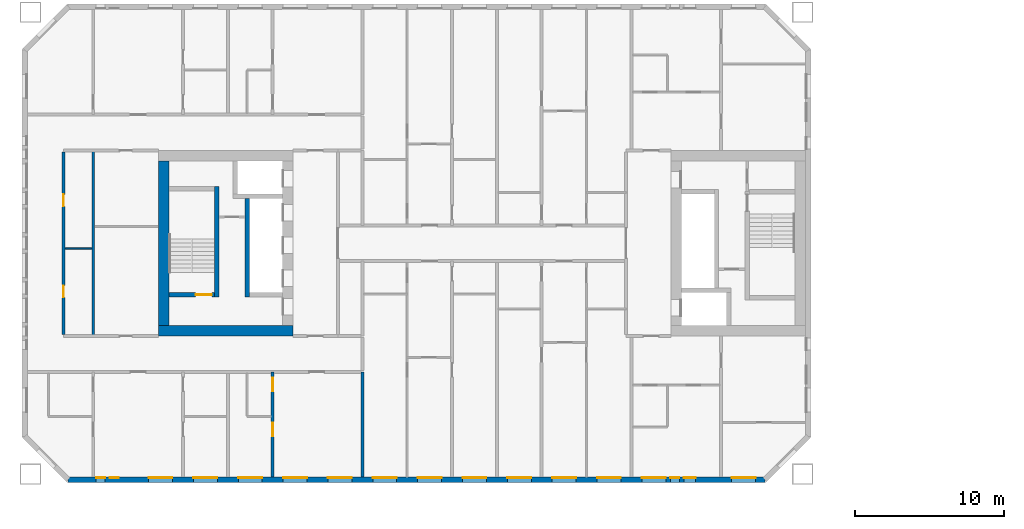
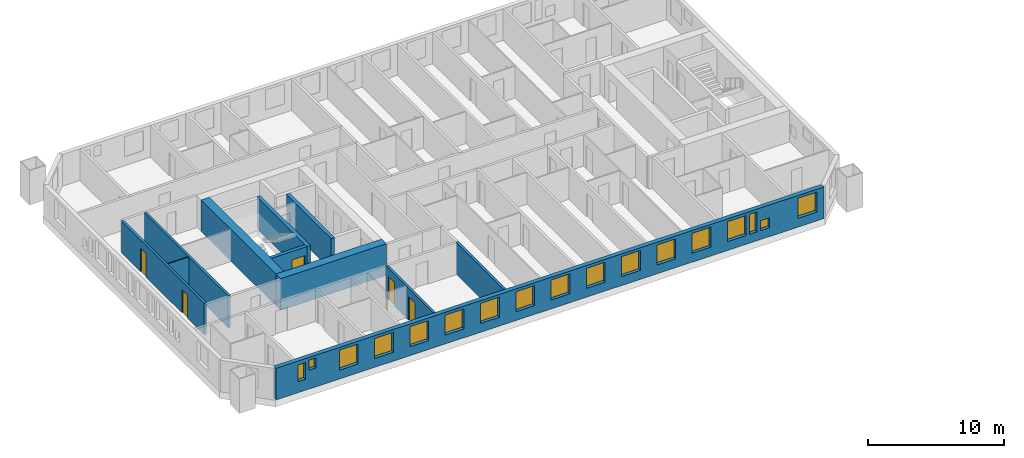
# One storey, part 3 of 17: 17 windows, 11 walls, 5 doors, 22 openings.
"""IFC4 building model written with IfcOpenShell, lengths in metres."""

import ifcopenshell
import ifcopenshell.guid

model = None  # the IFC model being written
_history = None  # IfcOwnerHistory: only IFC2X3 demands one
_inside = {}  # id of a spatial element -> (the spatial element, [elements in it])
_under = {}  # id of a project, library or spatial element -> (it, [spatial elements below it])
_declared = {}  # id of a project -> (the project, [libraries it declares])
_typed = {}  # id of a type object -> (the type object, [elements of that type])
_made_of = {}  # id of a material, layer set ... -> (it, [elements and type objects made of it])


def new_model(schema):
    """Start an empty IFC model of exactly this schema.

    Asked for "IFC4X3", IfcOpenShell would pick the latest addendum, in which some entities
    have other attributes; the version numbers below select the first issue.
    IFC2X3 requires an IfcOwnerHistory on every rooted entity: one is made here for all.
    """
    global model, _history
    if schema == "IFC4X3":
        model = ifcopenshell.file(schema_version=(4, 3, 0, 0))
    else:
        model = ifcopenshell.file(schema=schema)
    _inside.clear()
    _under.clear()
    _declared.clear()
    _typed.clear()
    _made_of.clear()
    _history = None
    if model.schema == "IFC2X3":
        org = make("IfcOrganization", Name="unknown")
        user = make(
            "IfcPersonAndOrganization",
            ThePerson=make("IfcPerson", FamilyName="unknown"),
            TheOrganization=org,
        )
        app = make(
            "IfcApplication",
            ApplicationDeveloper=org,
            Version="unknown",
            ApplicationFullName="unknown",
            ApplicationIdentifier="unknown",
        )
        _history = make(
            "IfcOwnerHistory",
            OwningUser=user,
            OwningApplication=app,
            ChangeAction="ADDED",
            CreationDate=0,
        )
    return model


def make(cls, **values):
    """One entity of the class cls with the attributes given. An attribute that is None is left unset."""
    return model.create_entity(
        cls, **{name: value for name, value in values.items() if value is not None}
    )


def rooted(cls, **values):
    """An entity with a GlobalId (a new one), such as an element, a storey or a relation."""
    return make(cls, GlobalId=ifcopenshell.guid.new(), OwnerHistory=_history, **values)


def si_unit(unit_type, name, prefix=None):
    """IfcSIUnit, for example si_unit("LENGTHUNIT", "METRE", prefix="MILLI")."""
    return make("IfcSIUnit", UnitType=unit_type, Prefix=prefix, Name=name)


def assignment(units):
    """IfcUnitAssignment: the units of a project."""
    return None if units is None else make("IfcUnitAssignment", Units=units)


def point(xyz):
    """IfcCartesianPoint."""
    return None if xyz is None else make("IfcCartesianPoint", Coordinates=xyz)


def direction(xyz):
    """IfcDirection."""
    return None if xyz is None else make("IfcDirection", DirectionRatios=xyz)


def frame(location, z_axis=None, x_axis=None):
    """IfcAxis2Placement3D, a coordinate frame: its origin and axes. An axis left out is left unset."""
    return make(
        "IfcAxis2Placement3D",
        Location=point(location),
        Axis=direction(z_axis),
        RefDirection=direction(x_axis),
    )


def frame_2d(location, x_axis=None):
    """IfcAxis2Placement2D, a coordinate frame in the plane: its origin and x axis."""
    return make(
        "IfcAxis2Placement2D", Location=point(location), RefDirection=direction(x_axis)
    )


def origin():
    """The frame at (0, 0, 0) with its axes left unset."""
    return frame((0.0, 0.0, 0.0))


def place(relative_to, where):
    """IfcLocalPlacement: puts the frame where relative to a parent placement (None: the world)."""
    return make(
        "IfcLocalPlacement", PlacementRelTo=relative_to, RelativePlacement=where
    )


def context(
    kind, dimensions, precision=None, world=None, true_north=None, identifier=None
):
    """IfcGeometricRepresentationContext, for example the 3D "Model" context."""
    return make(
        "IfcGeometricRepresentationContext",
        ContextIdentifier=identifier,
        ContextType=kind,
        CoordinateSpaceDimension=dimensions,
        Precision=precision,
        WorldCoordinateSystem=world,
        TrueNorth=true_north,
    )


def subcontext(parent, identifier, kind, view, scale=None):
    """IfcGeometricRepresentationSubContext, for example "Body" below "Model"."""
    return make(
        "IfcGeometricRepresentationSubContext",
        ContextIdentifier=identifier,
        ContextType=kind,
        ParentContext=parent,
        TargetScale=scale,
        TargetView=view,
    )


def project(units=None, contexts=None):
    """IfcProject with its units and contexts."""
    return rooted(
        "IfcProject",
        Name="project",
        RepresentationContexts=contexts,
        UnitsInContext=assignment(units),
    )


def spatial(cls, under=None, at=None, **own):
    """A site, building, storey or space (cls), placed at a placement, below another one or the project."""
    s = rooted(cls, ObjectPlacement=at, **own)
    if under is not None:
        _under.setdefault(under.id(), (under, []))[1].append(s)
    return s


def profile(cls, at=None, kind="AREA", **sizes):
    """A parametric profile (cls). Its sizes go by their IFC names, for example OverallWidth=200.0."""
    return make(cls, ProfileType=kind, Position=at, **sizes)


def rectangle(**sizes):
    """IfcRectangleProfileDef."""
    return profile("IfcRectangleProfileDef", **sizes)


def extrude(swept, where, along, depth):
    """IfcExtrudedAreaSolid: the profile swept, set in the frame where, extruded along a direction by depth."""
    return make(
        "IfcExtrudedAreaSolid",
        SweptArea=swept,
        Position=where,
        ExtrudedDirection=direction(along),
        Depth=depth,
    )


def shape(context_of_items, identifier, shape_type, items):
    """IfcShapeRepresentation: the items that make up one representation, for example the "Body"."""
    return make(
        "IfcShapeRepresentation",
        ContextOfItems=context_of_items,
        RepresentationIdentifier=identifier,
        RepresentationType=shape_type,
        Items=items,
    )


def material(Name=None, Category=None):
    """IfcMaterial."""
    return make("IfcMaterial", Name=Name, Category=Category)


def layer(
    of_material, thickness, ventilated=None, Name=None, Category=None, Priority=None
):
    """IfcMaterialLayer: one layer of a wall or slab, of a material (None: an air gap)."""
    return make(
        "IfcMaterialLayer",
        Material=of_material,
        LayerThickness=thickness,
        IsVentilated=ventilated,
        Name=Name,
        Category=Category,
        Priority=Priority,
    )


def layer_set(layers, Name=None):
    """IfcMaterialLayerSet."""
    return make("IfcMaterialLayerSet", MaterialLayers=layers, LayerSetName=Name)


def made_of(thing, what):
    """Note that an element or type object is made of a material, layer set ...; save() writes the relation."""
    if what is not None:
        _made_of.setdefault(what.id(), (what, []))[1].append(thing)
    return thing


def type_object(cls, material=None, **own):
    """A type object (cls), such as IfcWallType, which elements share."""
    return made_of(rooted(cls, **own), material)


def element(
    cls,
    number,
    at=None,
    inside=None,
    cuts=None,
    type_object=None,
    material=None,
    context=None,
    identifier="Body",
    shape_type=None,
    held_by="IfcProductDefinitionShape",
    body=None,
    shapes=None,
    **own,
):
    """One element of the class cls, such as IfcWall. Its Tag is "e" and its number.

    at: its placement. inside: the storey or other place that contains it. cuts: it is an
    opening in that element (IfcRelVoidsElement). A single representation is given by context,
    identifier, shape_type and body (its items); several are given by shapes. held_by: the class
    of the entity that holds the representations. save() writes the other relations.
    """
    e = rooted(cls, Tag="e%d" % number, ObjectPlacement=at, **own)
    if body is not None:
        shapes = [shape(context, identifier, shape_type, body)]
    if shapes is not None:
        e.Representation = make(held_by, Representations=shapes)
    if inside is not None:
        _inside.setdefault(inside.id(), (inside, []))[1].append(e)
    if cuts is not None:
        rooted(
            "IfcRelVoidsElement", RelatingBuildingElement=cuts, RelatedOpeningElement=e
        )
    if type_object is not None:
        _typed.setdefault(type_object.id(), (type_object, []))[1].append(e)
    return made_of(e, material)


def fill(opening, filler):
    """IfcRelFillsElement: the door or window that sits in an opening."""
    return rooted(
        "IfcRelFillsElement",
        RelatingOpeningElement=opening,
        RelatedBuildingElement=filler,
    )


def aggregate(whole, parts):
    """IfcRelAggregates: a whole, such as a stair, and the parts it consists of."""
    return rooted("IfcRelAggregates", RelatingObject=whole, RelatedObjects=parts)


def save(model, path):
    """Write the relations noted so far, then the file.

    IfcRelAggregates (storeys below a building ...), IfcRelContainedInSpatialStructure (elements
    in a storey), IfcRelDefinesByType, IfcRelAssociatesMaterial and IfcRelDeclares: one each for
    every whole, place, type object, material and project.
    """
    for whole, parts in _under.values():
        aggregate(whole, parts)
    for where, things in _inside.values():
        rooted(
            "IfcRelContainedInSpatialStructure",
            RelatedElements=things,
            RelatingStructure=where,
        )
    for kind, things in _typed.values():
        rooted("IfcRelDefinesByType", RelatedObjects=things, RelatingType=kind)
    for what, things in _made_of.values():
        rooted("IfcRelAssociatesMaterial", RelatedObjects=things, RelatingMaterial=what)
    for by, libraries in _declared.values():
        rooted("IfcRelDeclares", RelatingContext=by, RelatedDefinitions=libraries)
    model.write(path)


model = new_model("IFC4")

# Units and contexts
model_context = context("Model", 3, precision=1e-05, world=origin(), true_north=direction((0.0, 1.0)))
body_context = subcontext(model_context, "Body", "Model", "MODEL_VIEW")
ifc_project = project(units=[si_unit("LENGTHUNIT", "METRE"), si_unit("AREAUNIT", "SQUARE_METRE"), si_unit("VOLUMEUNIT", "CUBIC_METRE"), si_unit("PLANEANGLEUNIT", "RADIAN"), si_unit("MASSUNIT", "GRAM", prefix="KILO")], contexts=[model_context])

# Site, building, storey
site_placement = place(None, origin())
site = spatial("IfcSite", under=ifc_project, at=site_placement, CompositionType="ELEMENT")
building_placement = place(site_placement, origin())
building = spatial("IfcBuilding", under=site, at=building_placement, Name="Tuart Gate Housing", CompositionType="ELEMENT")
storey_placement = place(building_placement, frame((0.0, 0.0, 71.60009765625)))
storey = spatial("IfcBuildingStorey", under=building, at=storey_placement, Name="L19", CompositionType="ELEMENT", Elevation=71.60009765625)

# Wall, openings, windows
ifc_material_1 = material(Name="Brick", Category="masonry")
ifc_layer_1 = layer(ifc_material_1, 0.360107421875)
ifc_layer_set_1 = layer_set([ifc_layer_1], Name="Brick pier and spandrel wall 360")
wall_type_1 = type_object("IfcWallType", Name="Brick pier and spandrel wall 360", PredefinedType="STANDARD", material=ifc_layer_set_1)
wall_1_placement = place(storey_placement, frame((26.32470703125, 54.179931640625, 0.0), z_axis=(0.0, 0.0, 1.0), x_axis=(1.0, 0.0, 0.0)))
wall_1 = element("IfcWall", 1, at=wall_1_placement, inside=storey, type_object=wall_type_1, Name="External wall A-S L19", PredefinedType="STANDARD", context=body_context, shape_type="SweptSolid", body=[
    extrude(rectangle(XDim=46.600830078125, YDim=0.360107421875, at=frame_2d((23.30029296875, 0.0))), origin(), (0.0, 0.0, 1.0), 2.849853515625),
])
opening_1_placement = place(wall_1_placement, frame((1.87548828125, 0.0, 1.0)))
opening_1 = element("IfcOpeningElement", 2, at=opening_1_placement, cuts=wall_1, Name="Opening W1K", PredefinedType="OPENING", context=body_context, shape_type="SweptSolid", body=[
    extrude(rectangle(XDim=0.60009765625, YDim=1.5, at=frame_2d((0.300048828125, 0.75))), frame((0.0, 0.18994140625, 0.0), z_axis=(0.0, -1.0, 0.0), x_axis=(1.0, 0.0, 0.0)), (0.0, 0.0, 1.0), 0.380126953125),
])
opening_2_placement = place(wall_1_placement, frame((5.37548828125, 0.0, 0.800048828125)))
opening_2 = element("IfcOpeningElement", 3, at=opening_2_placement, cuts=wall_1, Name="Opening W1", PredefinedType="OPENING", context=body_context, shape_type="SweptSolid", body=[
    extrude(rectangle(XDim=1.60009765625, YDim=1.800048828125, at=frame_2d((0.800048828125, 0.89990234375))), frame((0.0, 0.18994140625, 0.0), z_axis=(0.0, -1.0, 0.0), x_axis=(1.0, 0.0, 0.0)), (0.0, 0.0, 1.0), 0.380126953125),
])
opening_3_placement = place(wall_1_placement, frame((8.37548828125, 0.0, 0.800048828125)))
opening_3 = element("IfcOpeningElement", 4, at=opening_3_placement, cuts=wall_1, Name="Opening W1", PredefinedType="OPENING", context=body_context, shape_type="SweptSolid", body=[
    extrude(rectangle(XDim=1.60009765625, YDim=1.800048828125, at=frame_2d((0.800048828125, 0.89990234375))), frame((0.0, 0.18994140625, 0.0), z_axis=(0.0, -1.0, 0.0), x_axis=(1.0, 0.0, 0.0)), (0.0, 0.0, 1.0), 0.380126953125),
])
opening_4_placement = place(wall_1_placement, frame((11.37548828125, 0.0, 0.800048828125)))
opening_4 = element("IfcOpeningElement", 5, at=opening_4_placement, cuts=wall_1, Name="Opening W1", PredefinedType="OPENING", context=body_context, shape_type="SweptSolid", body=[
    extrude(rectangle(XDim=1.60009765625, YDim=1.800048828125, at=frame_2d((0.800048828125, 0.89990234375))), frame((0.0, 0.18994140625, 0.0), z_axis=(0.0, -1.0, 0.0), x_axis=(1.0, 0.0, 0.0)), (0.0, 0.0, 1.0), 0.380126953125),
])
opening_5_placement = place(wall_1_placement, frame((14.37548828125, 0.0, 0.800048828125)))
opening_5 = element("IfcOpeningElement", 6, at=opening_5_placement, cuts=wall_1, Name="Opening W1", PredefinedType="OPENING", context=body_context, shape_type="SweptSolid", body=[
    extrude(rectangle(XDim=1.60009765625, YDim=1.800048828125, at=frame_2d((0.800048828125, 0.89990234375))), frame((0.0, 0.18994140625, 0.0), z_axis=(0.0, -1.0, 0.0), x_axis=(1.0, 0.0, 0.0)), (0.0, 0.0, 1.0), 0.380126953125),
])
opening_6_placement = place(wall_1_placement, frame((17.37548828125, 0.0, 0.800048828125)))
opening_6 = element("IfcOpeningElement", 7, at=opening_6_placement, cuts=wall_1, Name="Opening W1", PredefinedType="OPENING", context=body_context, shape_type="SweptSolid", body=[
    extrude(rectangle(XDim=1.60009765625, YDim=1.800048828125, at=frame_2d((0.800048828125, 0.89990234375))), frame((0.0, 0.18994140625, 0.0), z_axis=(0.0, -1.0, 0.0), x_axis=(1.0, 0.0, 0.0)), (0.0, 0.0, 1.0), 0.380126953125),
])
opening_7_placement = place(wall_1_placement, frame((20.37548828125, 0.0, 0.800048828125)))
opening_7 = element("IfcOpeningElement", 8, at=opening_7_placement, cuts=wall_1, Name="Opening W1", PredefinedType="OPENING", context=body_context, shape_type="SweptSolid", body=[
    extrude(rectangle(XDim=1.60009765625, YDim=1.800048828125, at=frame_2d((0.800048828125, 0.89990234375))), frame((0.0, 0.18994140625, 0.0), z_axis=(0.0, -1.0, 0.0), x_axis=(1.0, 0.0, 0.0)), (0.0, 0.0, 1.0), 0.380126953125),
])
opening_8_placement = place(wall_1_placement, frame((23.37548828125, 0.0, 0.800048828125)))
opening_8 = element("IfcOpeningElement", 9, at=opening_8_placement, cuts=wall_1, Name="Opening W1", PredefinedType="OPENING", context=body_context, shape_type="SweptSolid", body=[
    extrude(rectangle(XDim=1.60009765625, YDim=1.800048828125, at=frame_2d((0.800048828125, 0.89990234375))), frame((0.0, 0.18994140625, 0.0), z_axis=(0.0, -1.0, 0.0), x_axis=(1.0, 0.0, 0.0)), (0.0, 0.0, 1.0), 0.380126953125),
])
opening_9_placement = place(wall_1_placement, frame((26.37548828125, 0.0, 0.800048828125)))
opening_9 = element("IfcOpeningElement", 10, at=opening_9_placement, cuts=wall_1, Name="Opening W1", PredefinedType="OPENING", context=body_context, shape_type="SweptSolid", body=[
    extrude(rectangle(XDim=1.60009765625, YDim=1.800048828125, at=frame_2d((0.800048828125, 0.89990234375))), frame((0.0, 0.18994140625, 0.0), z_axis=(0.0, -1.0, 0.0), x_axis=(1.0, 0.0, 0.0)), (0.0, 0.0, 1.0), 0.380126953125),
])
opening_10_placement = place(wall_1_placement, frame((29.37548828125, 0.0, 0.800048828125)))
opening_10 = element("IfcOpeningElement", 11, at=opening_10_placement, cuts=wall_1, Name="Opening W1", PredefinedType="OPENING", context=body_context, shape_type="SweptSolid", body=[
    extrude(rectangle(XDim=1.60009765625, YDim=1.800048828125, at=frame_2d((0.800048828125, 0.89990234375))), frame((0.0, 0.18994140625, 0.0), z_axis=(0.0, -1.0, 0.0), x_axis=(1.0, 0.0, 0.0)), (0.0, 0.0, 1.0), 0.380126953125),
])
opening_11_placement = place(wall_1_placement, frame((32.37548828125, 0.0, 0.800048828125)))
opening_11 = element("IfcOpeningElement", 12, at=opening_11_placement, cuts=wall_1, Name="Opening W1", PredefinedType="OPENING", context=body_context, shape_type="SweptSolid", body=[
    extrude(rectangle(XDim=1.60009765625, YDim=1.800048828125, at=frame_2d((0.800048828125, 0.89990234375))), frame((0.0, 0.18994140625, 0.0), z_axis=(0.0, -1.0, 0.0), x_axis=(1.0, 0.0, 0.0)), (0.0, 0.0, 1.0), 0.380126953125),
])
opening_12_placement = place(wall_1_placement, frame((35.37548828125, 0.0, 0.800048828125)))
opening_12 = element("IfcOpeningElement", 13, at=opening_12_placement, cuts=wall_1, Name="Opening W1", PredefinedType="OPENING", context=body_context, shape_type="SweptSolid", body=[
    extrude(rectangle(XDim=1.60009765625, YDim=1.800048828125, at=frame_2d((0.800048828125, 0.89990234375))), frame((0.0, 0.18994140625, 0.0), z_axis=(0.0, -1.0, 0.0), x_axis=(1.0, 0.0, 0.0)), (0.0, 0.0, 1.0), 0.380126953125),
])
opening_13_placement = place(wall_1_placement, frame((38.37548828125, 0.0, 0.800048828125)))
opening_13 = element("IfcOpeningElement", 14, at=opening_13_placement, cuts=wall_1, Name="Opening W1", PredefinedType="OPENING", context=body_context, shape_type="SweptSolid", body=[
    extrude(rectangle(XDim=1.60009765625, YDim=1.800048828125, at=frame_2d((0.800048828125, 0.89990234375))), frame((0.0, 0.18994140625, 0.0), z_axis=(0.0, -1.0, 0.0), x_axis=(1.0, 0.0, 0.0)), (0.0, 0.0, 1.0), 0.380126953125),
])
opening_14_placement = place(wall_1_placement, frame((40.275390625, 0.0, 0.800048828125)))
opening_14 = element("IfcOpeningElement", 15, at=opening_14_placement, cuts=wall_1, Name="Opening W1E", PredefinedType="OPENING", context=body_context, shape_type="SweptSolid", body=[
    extrude(rectangle(XDim=0.60009765625, YDim=1.800048828125, at=frame_2d((0.300048828125, 0.89990234375))), frame((0.0, 0.18994140625, 0.0), z_axis=(0.0, -1.0, 0.0), x_axis=(1.0, 0.0, 0.0)), (0.0, 0.0, 1.0), 0.380126953125),
])
opening_15_placement = place(wall_1_placement, frame((44.37548828125, 0.0, 0.800048828125)))
opening_15 = element("IfcOpeningElement", 16, at=opening_15_placement, cuts=wall_1, Name="Opening W1", PredefinedType="OPENING", context=body_context, shape_type="SweptSolid", body=[
    extrude(rectangle(XDim=1.60009765625, YDim=1.800048828125, at=frame_2d((0.800048828125, 0.89990234375))), frame((0.0, 0.18994140625, 0.0), z_axis=(0.0, -1.0, 0.0), x_axis=(1.0, 0.0, 0.0)), (0.0, 0.0, 1.0), 0.380126953125),
])
opening_16_placement = place(wall_1_placement, frame((2.775390625, 0.0, 1.699951171875)))
opening_16 = element("IfcOpeningElement", 17, at=opening_16_placement, cuts=wall_1, Name="Opening W1W", PredefinedType="OPENING", context=body_context, shape_type="SweptSolid", body=[
    extrude(rectangle(XDim=0.60009765625, YDim=0.89990234375, at=frame_2d((0.300048828125, 0.449951171875))), frame((0.0, 0.18994140625, 0.0), z_axis=(0.0, -1.0, 0.0), x_axis=(1.0, 0.0, 0.0)), (0.0, 0.0, 1.0), 0.380126953125),
])
opening_17_placement = place(wall_1_placement, frame((41.17529296875, 0.0, 0.800048828125)))
opening_17 = element("IfcOpeningElement", 18, at=opening_17_placement, cuts=wall_1, Name="Opening W1V", PredefinedType="OPENING", context=body_context, shape_type="SweptSolid", body=[
    extrude(rectangle(XDim=0.800048828125, YDim=0.89990234375, at=frame_2d((0.39990234375, 0.449951171875))), frame((0.0, 0.18994140625, 0.0), z_axis=(0.0, -1.0, 0.0), x_axis=(1.0, 0.0, 0.0)), (0.0, 0.0, 1.0), 0.380126953125),
])
ifc_material_2 = material(Name="Aluminium frame with clear glass", Category="aluminium")
window_type_1 = type_object("IfcWindowType", Name="Punched window 1600 x 1800", PartitioningType="SINGLE_PANEL", PredefinedType="WINDOW", material=ifc_material_2)
window_1_placement = place(opening_2_placement, origin())
window_1 = element("IfcWindow", 19, at=window_1_placement, inside=storey, type_object=window_type_1, Name="Window W1", OverallHeight=1.800048828125, OverallWidth=1.60009765625, PartitioningType="SINGLE_PANEL", PredefinedType="WINDOW", context=body_context, shape_type="SweptSolid", body=[
    extrude(rectangle(XDim=1.60009765625, YDim=1.800048828125, at=frame_2d((0.800048828125, 0.89990234375))), frame((0.0, 0.150146484375, 0.0), z_axis=(0.0, -1.0, 0.0), x_axis=(1.0, 0.0, 0.0)), (0.0, 0.0, 1.0), 0.06005859375),
])
fill(opening_2, window_1)
window_2_placement = place(opening_3_placement, origin())
window_2 = element("IfcWindow", 20, at=window_2_placement, inside=storey, type_object=window_type_1, Name="Window W1", OverallHeight=1.800048828125, OverallWidth=1.60009765625, PartitioningType="SINGLE_PANEL", PredefinedType="WINDOW", context=body_context, shape_type="SweptSolid", body=[
    extrude(rectangle(XDim=1.60009765625, YDim=1.800048828125, at=frame_2d((0.800048828125, 0.89990234375))), frame((0.0, 0.150146484375, 0.0), z_axis=(0.0, -1.0, 0.0), x_axis=(1.0, 0.0, 0.0)), (0.0, 0.0, 1.0), 0.06005859375),
])
fill(opening_3, window_2)
window_3_placement = place(opening_4_placement, origin())
window_3 = element("IfcWindow", 21, at=window_3_placement, inside=storey, type_object=window_type_1, Name="Window W1", OverallHeight=1.800048828125, OverallWidth=1.60009765625, PartitioningType="SINGLE_PANEL", PredefinedType="WINDOW", context=body_context, shape_type="SweptSolid", body=[
    extrude(rectangle(XDim=1.60009765625, YDim=1.800048828125, at=frame_2d((0.800048828125, 0.89990234375))), frame((0.0, 0.150146484375, 0.0), z_axis=(0.0, -1.0, 0.0), x_axis=(1.0, 0.0, 0.0)), (0.0, 0.0, 1.0), 0.06005859375),
])
fill(opening_4, window_3)
window_4_placement = place(opening_5_placement, origin())
window_4 = element("IfcWindow", 22, at=window_4_placement, inside=storey, type_object=window_type_1, Name="Window W1", OverallHeight=1.800048828125, OverallWidth=1.60009765625, PartitioningType="SINGLE_PANEL", PredefinedType="WINDOW", context=body_context, shape_type="SweptSolid", body=[
    extrude(rectangle(XDim=1.60009765625, YDim=1.800048828125, at=frame_2d((0.800048828125, 0.89990234375))), frame((0.0, 0.150146484375, 0.0), z_axis=(0.0, -1.0, 0.0), x_axis=(1.0, 0.0, 0.0)), (0.0, 0.0, 1.0), 0.06005859375),
])
fill(opening_5, window_4)
window_5_placement = place(opening_6_placement, origin())
window_5 = element("IfcWindow", 23, at=window_5_placement, inside=storey, type_object=window_type_1, Name="Window W1", OverallHeight=1.800048828125, OverallWidth=1.60009765625, PartitioningType="SINGLE_PANEL", PredefinedType="WINDOW", context=body_context, shape_type="SweptSolid", body=[
    extrude(rectangle(XDim=1.60009765625, YDim=1.800048828125, at=frame_2d((0.800048828125, 0.89990234375))), frame((0.0, 0.150146484375, 0.0), z_axis=(0.0, -1.0, 0.0), x_axis=(1.0, 0.0, 0.0)), (0.0, 0.0, 1.0), 0.06005859375),
])
fill(opening_6, window_5)
window_6_placement = place(opening_7_placement, origin())
window_6 = element("IfcWindow", 24, at=window_6_placement, inside=storey, type_object=window_type_1, Name="Window W1", OverallHeight=1.800048828125, OverallWidth=1.60009765625, PartitioningType="SINGLE_PANEL", PredefinedType="WINDOW", context=body_context, shape_type="SweptSolid", body=[
    extrude(rectangle(XDim=1.60009765625, YDim=1.800048828125, at=frame_2d((0.800048828125, 0.89990234375))), frame((0.0, 0.150146484375, 0.0), z_axis=(0.0, -1.0, 0.0), x_axis=(1.0, 0.0, 0.0)), (0.0, 0.0, 1.0), 0.06005859375),
])
fill(opening_7, window_6)
window_7_placement = place(opening_8_placement, origin())
window_7 = element("IfcWindow", 25, at=window_7_placement, inside=storey, type_object=window_type_1, Name="Window W1", OverallHeight=1.800048828125, OverallWidth=1.60009765625, PartitioningType="SINGLE_PANEL", PredefinedType="WINDOW", context=body_context, shape_type="SweptSolid", body=[
    extrude(rectangle(XDim=1.60009765625, YDim=1.800048828125, at=frame_2d((0.800048828125, 0.89990234375))), frame((0.0, 0.150146484375, 0.0), z_axis=(0.0, -1.0, 0.0), x_axis=(1.0, 0.0, 0.0)), (0.0, 0.0, 1.0), 0.06005859375),
])
fill(opening_8, window_7)
window_8_placement = place(opening_9_placement, origin())
window_8 = element("IfcWindow", 26, at=window_8_placement, inside=storey, type_object=window_type_1, Name="Window W1", OverallHeight=1.800048828125, OverallWidth=1.60009765625, PartitioningType="SINGLE_PANEL", PredefinedType="WINDOW", context=body_context, shape_type="SweptSolid", body=[
    extrude(rectangle(XDim=1.60009765625, YDim=1.800048828125, at=frame_2d((0.800048828125, 0.89990234375))), frame((0.0, 0.150146484375, 0.0), z_axis=(0.0, -1.0, 0.0), x_axis=(1.0, 0.0, 0.0)), (0.0, 0.0, 1.0), 0.06005859375),
])
fill(opening_9, window_8)
window_9_placement = place(opening_10_placement, origin())
window_9 = element("IfcWindow", 27, at=window_9_placement, inside=storey, type_object=window_type_1, Name="Window W1", OverallHeight=1.800048828125, OverallWidth=1.60009765625, PartitioningType="SINGLE_PANEL", PredefinedType="WINDOW", context=body_context, shape_type="SweptSolid", body=[
    extrude(rectangle(XDim=1.60009765625, YDim=1.800048828125, at=frame_2d((0.800048828125, 0.89990234375))), frame((0.0, 0.150146484375, 0.0), z_axis=(0.0, -1.0, 0.0), x_axis=(1.0, 0.0, 0.0)), (0.0, 0.0, 1.0), 0.06005859375),
])
fill(opening_10, window_9)
window_10_placement = place(opening_11_placement, origin())
window_10 = element("IfcWindow", 28, at=window_10_placement, inside=storey, type_object=window_type_1, Name="Window W1", OverallHeight=1.800048828125, OverallWidth=1.60009765625, PartitioningType="SINGLE_PANEL", PredefinedType="WINDOW", context=body_context, shape_type="SweptSolid", body=[
    extrude(rectangle(XDim=1.60009765625, YDim=1.800048828125, at=frame_2d((0.800048828125, 0.89990234375))), frame((0.0, 0.150146484375, 0.0), z_axis=(0.0, -1.0, 0.0), x_axis=(1.0, 0.0, 0.0)), (0.0, 0.0, 1.0), 0.06005859375),
])
fill(opening_11, window_10)
window_11_placement = place(opening_12_placement, origin())
window_11 = element("IfcWindow", 29, at=window_11_placement, inside=storey, type_object=window_type_1, Name="Window W1", OverallHeight=1.800048828125, OverallWidth=1.60009765625, PartitioningType="SINGLE_PANEL", PredefinedType="WINDOW", context=body_context, shape_type="SweptSolid", body=[
    extrude(rectangle(XDim=1.60009765625, YDim=1.800048828125, at=frame_2d((0.800048828125, 0.89990234375))), frame((0.0, 0.150146484375, 0.0), z_axis=(0.0, -1.0, 0.0), x_axis=(1.0, 0.0, 0.0)), (0.0, 0.0, 1.0), 0.06005859375),
])
fill(opening_12, window_11)
window_12_placement = place(opening_13_placement, origin())
window_12 = element("IfcWindow", 30, at=window_12_placement, inside=storey, type_object=window_type_1, Name="Window W1", OverallHeight=1.800048828125, OverallWidth=1.60009765625, PartitioningType="SINGLE_PANEL", PredefinedType="WINDOW", context=body_context, shape_type="SweptSolid", body=[
    extrude(rectangle(XDim=1.60009765625, YDim=1.800048828125, at=frame_2d((0.800048828125, 0.89990234375))), frame((0.0, 0.150146484375, 0.0), z_axis=(0.0, -1.0, 0.0), x_axis=(1.0, 0.0, 0.0)), (0.0, 0.0, 1.0), 0.06005859375),
])
fill(opening_13, window_12)
window_13_placement = place(opening_15_placement, origin())
window_13 = element("IfcWindow", 31, at=window_13_placement, inside=storey, type_object=window_type_1, Name="Window W1", OverallHeight=1.800048828125, OverallWidth=1.60009765625, PartitioningType="SINGLE_PANEL", PredefinedType="WINDOW", context=body_context, shape_type="SweptSolid", body=[
    extrude(rectangle(XDim=1.60009765625, YDim=1.800048828125, at=frame_2d((0.800048828125, 0.89990234375))), frame((0.0, 0.150146484375, 0.0), z_axis=(0.0, -1.0, 0.0), x_axis=(1.0, 0.0, 0.0)), (0.0, 0.0, 1.0), 0.06005859375),
])
fill(opening_15, window_13)
ifc_material_3 = material(Name="Aluminium frame with clear glass", Category="aluminium")
window_type_2 = type_object("IfcWindowType", Name="Punched window 600 x 1500", PartitioningType="SINGLE_PANEL", PredefinedType="WINDOW", material=ifc_material_3)
window_14_placement = place(opening_1_placement, origin())
window_14 = element("IfcWindow", 32, at=window_14_placement, inside=storey, type_object=window_type_2, Name="Window W1K", OverallHeight=1.5, OverallWidth=0.60009765625, PartitioningType="SINGLE_PANEL", PredefinedType="WINDOW", context=body_context, shape_type="SweptSolid", body=[
    extrude(rectangle(XDim=0.60009765625, YDim=1.5, at=frame_2d((0.300048828125, 0.75))), frame((0.0, 0.150146484375, 0.0), z_axis=(0.0, -1.0, 0.0), x_axis=(1.0, 0.0, 0.0)), (0.0, 0.0, 1.0), 0.06005859375),
])
fill(opening_1, window_14)
ifc_material_4 = material(Name="Aluminium frame with clear glass", Category="aluminium")
window_type_3 = type_object("IfcWindowType", Name="Punched window 600 x 1800", PartitioningType="SINGLE_PANEL", PredefinedType="WINDOW", material=ifc_material_4)
window_15_placement = place(opening_14_placement, origin())
window_15 = element("IfcWindow", 33, at=window_15_placement, inside=storey, type_object=window_type_3, Name="Window W1E", OverallHeight=1.800048828125, OverallWidth=0.60009765625, PartitioningType="SINGLE_PANEL", PredefinedType="WINDOW", context=body_context, shape_type="SweptSolid", body=[
    extrude(rectangle(XDim=0.60009765625, YDim=1.800048828125, at=frame_2d((0.300048828125, 0.89990234375))), frame((0.0, 0.150146484375, 0.0), z_axis=(0.0, -1.0, 0.0), x_axis=(1.0, 0.0, 0.0)), (0.0, 0.0, 1.0), 0.06005859375),
])
fill(opening_14, window_15)
ifc_material_5 = material(Name="Aluminium frame with clear glass", Category="aluminium")
window_type_4 = type_object("IfcWindowType", Name="Punched window 600 x 900", PartitioningType="SINGLE_PANEL", PredefinedType="WINDOW", material=ifc_material_5)
window_16_placement = place(opening_16_placement, origin())
window_16 = element("IfcWindow", 34, at=window_16_placement, inside=storey, type_object=window_type_4, Name="Window W1W", OverallHeight=0.89990234375, OverallWidth=0.60009765625, PartitioningType="SINGLE_PANEL", PredefinedType="WINDOW", context=body_context, shape_type="SweptSolid", body=[
    extrude(rectangle(XDim=0.60009765625, YDim=0.89990234375, at=frame_2d((0.300048828125, 0.449951171875))), frame((0.0, 0.150146484375, 0.0), z_axis=(0.0, -1.0, 0.0), x_axis=(1.0, 0.0, 0.0)), (0.0, 0.0, 1.0), 0.06005859375),
])
fill(opening_16, window_16)
ifc_material_6 = material(Name="Aluminium frame with clear glass", Category="aluminium")
window_type_5 = type_object("IfcWindowType", Name="Punched window 800 x 900", PartitioningType="SINGLE_PANEL", PredefinedType="WINDOW", material=ifc_material_6)
window_17_placement = place(opening_17_placement, origin())
window_17 = element("IfcWindow", 35, at=window_17_placement, inside=storey, type_object=window_type_5, Name="Window W1V", OverallHeight=0.89990234375, OverallWidth=0.800048828125, PartitioningType="SINGLE_PANEL", PredefinedType="WINDOW", context=body_context, shape_type="SweptSolid", body=[
    extrude(rectangle(XDim=0.800048828125, YDim=0.89990234375, at=frame_2d((0.39990234375, 0.449951171875))), frame((0.0, 0.150146484375, 0.0), z_axis=(0.0, -1.0, 0.0), x_axis=(1.0, 0.0, 0.0)), (0.0, 0.0, 1.0), 0.06005859375),
])
fill(opening_17, window_17)

# Wall, opening, door
ifc_material_7 = material(Name="Concrete C50", Category="concrete")
ifc_layer_2 = layer(ifc_material_7, 0.300048828125)
ifc_layer_set_2 = layer_set([ifc_layer_2], Name="Core wall 300 C50")
wall_type_2 = type_object("IfcWallType", Name="Core wall 300 C50", PredefinedType="SHEAR", material=ifc_layer_set_2)
wall_2_placement = place(storey_placement, frame((36.110107421875, 66.550048828125, 0.0), z_axis=(0.0, 0.0, 1.0), x_axis=(-1.0, 0.0, 0.0)))
wall_2 = element("IfcWall", 36, at=wall_2_placement, inside=storey, type_object=wall_type_2, Name="Core wall AK.5", PredefinedType="SHEAR", context=body_context, shape_type="SweptSolid", body=[
    extrude(rectangle(XDim=3.050048828125, YDim=0.300048828125, at=frame_2d((1.52490234375, 0.0))), origin(), (0.0, 0.0, 1.0), 2.849853515625),
])
opening_18_placement = place(wall_2_placement, frame((0.169921875, 0.0, 0.0)))
opening_18 = element("IfcOpeningElement", 37, at=opening_18_placement, cuts=wall_2, Name="Opening D871", PredefinedType="OPENING", context=body_context, shape_type="SweptSolid", body=[
    extrude(rectangle(XDim=1.10009765625, YDim=2.10009765625, at=frame_2d((0.550048828125, 1.050048828125))), frame((0.0, 0.159912109375, 0.0), z_axis=(0.0, -1.0, 0.0), x_axis=(1.0, 0.0, 0.0)), (0.0, 0.0, 1.0), 0.320068359375),
])
ifc_material_8 = material(Name="Steel fire door", Category="steel")
door_type_1 = type_object("IfcDoorType", Name="Stair door 1100 x 2100 RH", OperationType="SINGLE_SWING_RIGHT", PredefinedType="DOOR", material=ifc_material_8)
door_1_placement = place(opening_18_placement, frame((1.10009765625, 0.0, 0.0), z_axis=(0.0, 0.0, 1.0), x_axis=(-1.0, 0.0, 0.0)))
door_1 = element("IfcDoor", 38, at=door_1_placement, inside=storey, type_object=door_type_1, Name="Stair door AK.SD", OperationType="SINGLE_SWING_RIGHT", OverallHeight=2.10009765625, OverallWidth=1.10009765625, PredefinedType="DOOR", context=body_context, shape_type="SweptSolid", body=[
    extrude(rectangle(XDim=1.10009765625, YDim=2.10009765625, at=frame_2d((0.550048828125, 1.050048828125))), frame((0.0, 0.025146484375, 0.0), z_axis=(0.0, -1.0, 0.0), x_axis=(1.0, 0.0, 0.0)), (0.0, 0.0, 1.0), 0.050048828125),
])
fill(opening_18, door_1)

# Walls
wall_3_placement = place(storey_placement, frame((38.31005859375, 73.0, 0.0), z_axis=(0.0, 0.0, 1.0), x_axis=(0.0, -1.0, 0.0)))
element("IfcWall", 39, at=wall_3_placement, inside=storey, type_object=wall_type_2, Name="Core wall AK.6", PredefinedType="SHEAR", context=body_context, shape_type="SweptSolid", body=[
    extrude(rectangle(XDim=6.60009765625, YDim=0.300048828125, at=frame_2d((3.300048828125, 0.0))), origin(), (0.0, 0.0, 1.0), 2.849853515625),
])
wall_4_placement = place(storey_placement, frame((36.260009765625, 73.800048828125, 0.0), z_axis=(0.0, 0.0, 1.0), x_axis=(0.0, -1.0, 0.0)))
element("IfcWall", 40, at=wall_4_placement, inside=storey, type_object=wall_type_2, Name="Core wall AK.8", PredefinedType="SHEAR", context=body_context, shape_type="SweptSolid", body=[
    extrude(rectangle(XDim=7.400146484375, YDim=0.300048828125, at=frame_2d((3.7001953125, 0.0))), origin(), (0.0, 0.0, 1.0), 2.849853515625),
])
ifc_material_9 = material(Name="Concrete C50", Category="concrete")
ifc_layer_3 = layer(ifc_material_9, 0.699951171875)
ifc_layer_set_3 = layer_set([ifc_layer_3], Name="Core wall 700 C50")
wall_type_3 = type_object("IfcWallType", Name="Core wall 700 C50", PredefinedType="SHEAR", material=ifc_layer_set_3)
wall_5_placement = place(storey_placement, frame((32.7099609375, 75.5, 0.0), z_axis=(0.0, 0.0, 1.0), x_axis=(0.0, -1.0, 0.0)))
element("IfcWall", 41, at=wall_5_placement, inside=storey, type_object=wall_type_3, Name="Core wall AK back", PredefinedType="SHEAR", context=body_context, shape_type="SweptSolid", body=[
    extrude(rectangle(XDim=11.0, YDim=0.699951171875, at=frame_2d((5.5, 0.0))), origin(), (0.0, 0.0, 1.0), 2.849853515625),
])
wall_6_placement = place(storey_placement, frame((41.360107421875, 64.14990234375, 0.0), z_axis=(0.0, 0.0, 1.0), x_axis=(-1.0, 0.0, 0.0)))
element("IfcWall", 42, at=wall_6_placement, inside=storey, type_object=wall_type_3, Name="Core wall AK north", PredefinedType="SHEAR", context=body_context, shape_type="SweptSolid", body=[
    extrude(rectangle(XDim=9.0, YDim=0.699951171875, at=frame_2d((4.5, 0.0))), origin(), (0.0, 0.0, 1.0), 2.849853515625),
])

# Wall, openings, doors
ifc_material_10 = material(Name="Concrete masonry 15 MPa", Category="masonry")
ifc_layer_4 = layer(ifc_material_10, 0.199951171875)
ifc_layer_set_4 = layer_set([ifc_layer_4], Name="Corridor wall masonry 200")
wall_type_4 = type_object("IfcWallType", Name="Corridor wall masonry 200", PredefinedType="PARTITIONING", material=ifc_layer_set_4)
wall_7_placement = place(storey_placement, frame((26.010009765625, 63.89990234375, 0.0), z_axis=(0.0, 0.0, 1.0), x_axis=(0.0, 1.0, 0.0)))
wall_7 = element("IfcWall", 43, at=wall_7_placement, inside=storey, type_object=wall_type_4, Name="Corridor wall masonry 200", PredefinedType="PARTITIONING", context=body_context, shape_type="SweptSolid", body=[
    extrude(rectangle(XDim=12.2001953125, YDim=0.199951171875, at=frame_2d((6.10009765625, 0.0))), origin(), (0.0, 0.0, 1.0), 2.849853515625),
])
opening_19_placement = place(wall_7_placement, frame((2.469970703125, 0.0, 0.0)))
opening_19 = element("IfcOpeningElement", 44, at=opening_19_placement, cuts=wall_7, Name="Opening D861", PredefinedType="OPENING", context=body_context, shape_type="SweptSolid", body=[
    extrude(rectangle(XDim=0.800048828125, YDim=2.10009765625, at=frame_2d((0.39990234375, 1.050048828125))), frame((0.0, 0.10986328125, 0.0), z_axis=(0.0, -1.0, 0.0), x_axis=(1.0, 0.0, 0.0)), (0.0, 0.0, 1.0), 0.219970703125),
])
opening_20_placement = place(wall_7_placement, frame((8.570068359375, 0.0, 0.0)))
opening_20 = element("IfcOpeningElement", 45, at=opening_20_placement, cuts=wall_7, Name="Opening D862", PredefinedType="OPENING", context=body_context, shape_type="SweptSolid", body=[
    extrude(rectangle(XDim=0.800048828125, YDim=2.10009765625, at=frame_2d((0.39990234375, 1.050048828125))), frame((0.0, 0.10986328125, 0.0), z_axis=(0.0, -1.0, 0.0), x_axis=(1.0, 0.0, 0.0)), (0.0, 0.0, 1.0), 0.219970703125),
])
ifc_material_11 = material(Name="Timber door leaf in steel frame", Category="steel")
door_type_2 = type_object("IfcDoorType", Name="Store door 800", OperationType="SINGLE_SWING_LEFT", PredefinedType="DOOR", material=ifc_material_11)
door_2_placement = place(opening_19_placement, frame((0.800048828125, 0.0, 0.0), z_axis=(0.0, 0.0, 1.0), x_axis=(-1.0, 0.0, 0.0)))
door_2 = element("IfcDoor", 46, at=door_2_placement, inside=storey, type_object=door_type_2, Name="Store door", OperationType="SINGLE_SWING_LEFT", OverallHeight=2.10009765625, OverallWidth=0.800048828125, PredefinedType="DOOR", context=body_context, shape_type="SweptSolid", body=[
    extrude(rectangle(XDim=0.800048828125, YDim=2.10009765625, at=frame_2d((0.400146484375, 1.050048828125))), frame((0.0, 0.025146484375, 0.0), z_axis=(0.0, -1.0, 0.0), x_axis=(1.0, 0.0, 0.0)), (0.0, 0.0, 1.0), 0.050048828125),
])
fill(opening_19, door_2)
ifc_material_12 = material(Name="Timber door leaf in steel frame", Category="steel")
door_type_3 = type_object("IfcDoorType", Name="Store door 800 RH", OperationType="SINGLE_SWING_RIGHT", PredefinedType="DOOR", material=ifc_material_12)
door_3_placement = place(opening_20_placement, frame((0.800048828125, 0.0, 0.0), z_axis=(0.0, 0.0, 1.0), x_axis=(-1.0, 0.0, 0.0)))
door_3 = element("IfcDoor", 47, at=door_3_placement, inside=storey, type_object=door_type_3, Name="Store door", OperationType="SINGLE_SWING_RIGHT", OverallHeight=2.10009765625, OverallWidth=0.800048828125, PredefinedType="DOOR", context=body_context, shape_type="SweptSolid", body=[
    extrude(rectangle(XDim=0.800048828125, YDim=2.10009765625, at=frame_2d((0.400146484375, 1.050048828125))), frame((0.0, 0.025146484375, 0.0), z_axis=(0.0, -1.0, 0.0), x_axis=(1.0, 0.0, 0.0)), (0.0, 0.0, 1.0), 0.050048828125),
])
fill(opening_20, door_3)

# Walls
ifc_material_13 = material(Name="Gypsum board on steel studs", Category="steel")
ifc_layer_5 = layer(ifc_material_13, 0.10009765625)
ifc_layer_set_5 = layer_set([ifc_layer_5], Name="Partition 100")
wall_type_5 = type_object("IfcWallType", Name="Partition 100", PredefinedType="PARTITIONING", material=ifc_layer_set_5)
wall_8_placement = place(storey_placement, frame((26.110107421875, 69.639892578125, 0.0), z_axis=(0.0, 0.0, 1.0), x_axis=(1.0, 0.0, 0.0)))
element("IfcWall", 48, at=wall_8_placement, inside=storey, type_object=wall_type_5, Name="Partition 100", PredefinedType="PARTITIONING", context=body_context, shape_type="SweptSolid", body=[
    extrude(rectangle(XDim=1.789794921875, YDim=0.10009765625, at=frame_2d((0.89501953125, 0.0))), origin(), (0.0, 0.0, 1.0), 2.849853515625),
])
ifc_material_14 = material(Name="Concrete C40", Category="concrete")
ifc_layer_6 = layer(ifc_material_14, 0.199951171875)
ifc_layer_set_6 = layer_set([ifc_layer_6], Name="Party wall concrete C40 200")
wall_type_6 = type_object("IfcWallType", Name="Party wall concrete C40 200", PredefinedType="SOLIDWALL", material=ifc_layer_set_6)
wall_9_placement = place(storey_placement, frame((28.0, 63.800048828125, 0.0), z_axis=(0.0, 0.0, 1.0), x_axis=(0.0, 1.0, 0.0)))
element("IfcWall", 49, at=wall_9_placement, inside=storey, type_object=wall_type_6, Name="Party wall concrete C40 200", PredefinedType="SOLIDWALL", context=body_context, shape_type="SweptSolid", body=[
    extrude(rectangle(XDim=12.39990234375, YDim=0.199951171875, at=frame_2d((6.199951171875, 0.0))), origin(), (0.0, 0.0, 1.0), 2.849853515625),
])

# Wall, openings, doors
wall_10_placement = place(storey_placement, frame((40.0, 54.360107421875, 0.0), z_axis=(0.0, 0.0, 1.0), x_axis=(0.0, 1.0, 0.0)))
wall_10 = element("IfcWall", 50, at=wall_10_placement, inside=storey, type_object=wall_type_6, Name="Party wall concrete C40 200", PredefinedType="SOLIDWALL", context=body_context, shape_type="SweptSolid", body=[
    extrude(rectangle(XDim=7.039794921875, YDim=0.199951171875, at=frame_2d((3.52001953125, 0.0))), origin(), (0.0, 0.0, 1.0), 2.849853515625),
])
opening_21_placement = place(wall_10_placement, frame((2.739990234375, 0.0, 0.0)))
opening_21 = element("IfcOpeningElement", 51, at=opening_21_placement, cuts=wall_10, Name="Opening D896", PredefinedType="OPENING", context=body_context, shape_type="SweptSolid", body=[
    extrude(rectangle(XDim=0.89990234375, YDim=2.10009765625, at=frame_2d((0.449951171875, 1.050048828125))), frame((0.0, 0.10986328125, 0.0), z_axis=(0.0, -1.0, 0.0), x_axis=(1.0, 0.0, 0.0)), (0.0, 0.0, 1.0), 0.219970703125),
])
opening_22_placement = place(wall_10_placement, frame((5.739990234375, 0.0, 0.0)))
opening_22 = element("IfcOpeningElement", 52, at=opening_22_placement, cuts=wall_10, Name="Opening D895", PredefinedType="OPENING", context=body_context, shape_type="SweptSolid", body=[
    extrude(rectangle(XDim=0.89990234375, YDim=2.10009765625, at=frame_2d((0.449951171875, 1.050048828125))), frame((0.0, 0.10986328125, 0.0), z_axis=(0.0, -1.0, 0.0), x_axis=(1.0, 0.0, 0.0)), (0.0, 0.0, 1.0), 0.219970703125),
])
ifc_material_15 = material(Name="Timber door leaf in steel frame", Category="steel")
door_type_4 = type_object("IfcDoorType", Name="Bathroom door 900 RH", OperationType="SINGLE_SWING_RIGHT", PredefinedType="DOOR", material=ifc_material_15)
door_4_placement = place(opening_22_placement, origin())
door_4 = element("IfcDoor", 53, at=door_4_placement, inside=storey, type_object=door_type_4, Name="Bathroom door", OperationType="SINGLE_SWING_RIGHT", OverallHeight=2.10009765625, OverallWidth=0.89990234375, PredefinedType="DOOR", context=body_context, shape_type="SweptSolid", body=[
    extrude(rectangle(XDim=0.89990234375, YDim=2.10009765625, at=frame_2d((0.449951171875, 1.050048828125))), frame((0.0, 0.02490234375, 0.0), z_axis=(0.0, -1.0, 0.0), x_axis=(1.0, 0.0, 0.0)), (0.0, 0.0, 1.0), 0.050048828125),
])
fill(opening_22, door_4)
ifc_material_16 = material(Name="Timber door leaf in steel frame", Category="steel")
door_type_5 = type_object("IfcDoorType", Name="Internal door 900 RH", OperationType="SINGLE_SWING_RIGHT", PredefinedType="DOOR", material=ifc_material_16)
door_5_placement = place(opening_21_placement, origin())
door_5 = element("IfcDoor", 54, at=door_5_placement, inside=storey, type_object=door_type_5, Name="Internal door", OperationType="SINGLE_SWING_RIGHT", OverallHeight=2.10009765625, OverallWidth=0.89990234375, PredefinedType="DOOR", context=body_context, shape_type="SweptSolid", body=[
    extrude(rectangle(XDim=0.89990234375, YDim=2.10009765625, at=frame_2d((0.449951171875, 1.050048828125))), frame((0.0, 0.02490234375, 0.0), z_axis=(0.0, -1.0, 0.0), x_axis=(1.0, 0.0, 0.0)), (0.0, 0.0, 1.0), 0.050048828125),
])
fill(opening_21, door_5)

# Wall
wall_11_placement = place(storey_placement, frame((46.0, 54.360107421875, 0.0), z_axis=(0.0, 0.0, 1.0), x_axis=(0.0, 1.0, 0.0)))
element("IfcWall", 55, at=wall_11_placement, inside=storey, type_object=wall_type_6, Name="Party wall concrete C40 200", PredefinedType="SOLIDWALL", context=body_context, shape_type="SweptSolid", body=[
    extrude(rectangle(XDim=7.039794921875, YDim=0.199951171875, at=frame_2d((3.52001953125, 0.0))), origin(), (0.0, 0.0, 1.0), 2.849853515625),
])

save(model, "model.ifc")
